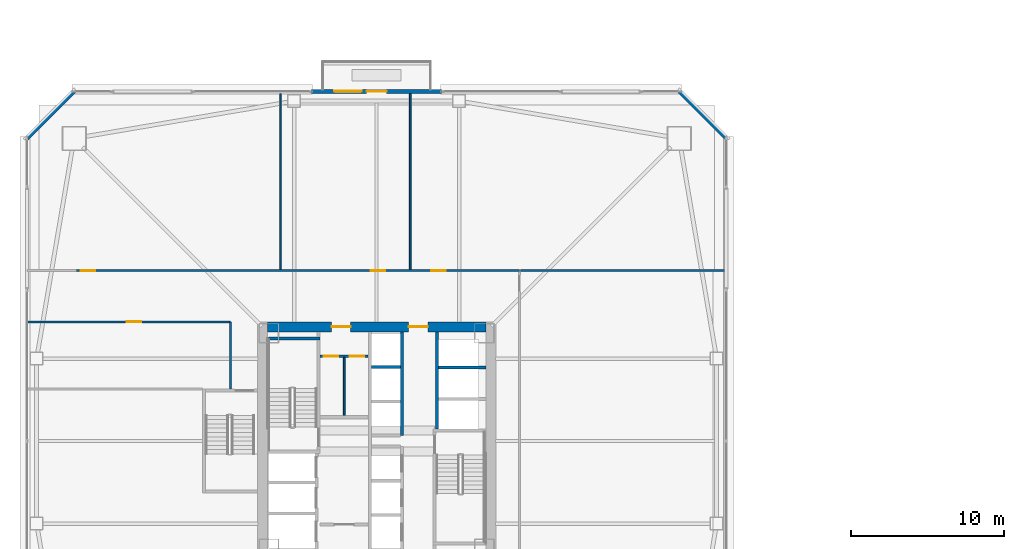
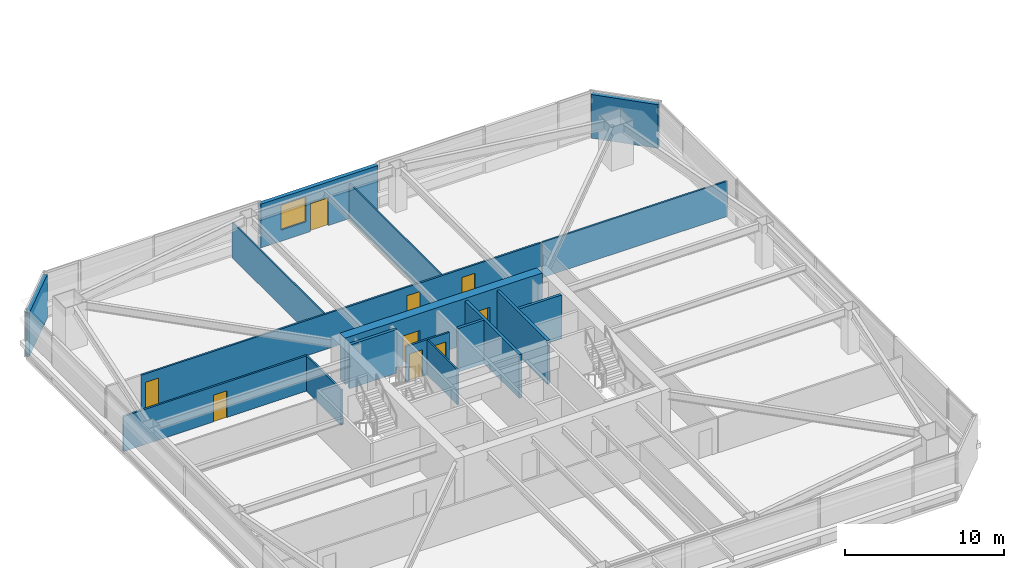
# One storey, part 38 of 48: 17 walls, 9 doors, 1 window, 10 openings.
"""IFC4 building model written with IfcOpenShell, lengths in metres."""

from ifc_helpers import new_model, si_unit, direction, frame, frame_2d, origin, place, context, subcontext, project, spatial, rectangle, extrude, material, layer, layer_set, type_object, element, fill, save


model = new_model("IFC4")

# Units and contexts
model_context = context("Model", 3, precision=1e-05, world=origin(), true_north=direction((0.0, 1.0)))
body_context = subcontext(model_context, "Body", "Model", "MODEL_VIEW")
ifc_project = project(units=[si_unit("LENGTHUNIT", "METRE"), si_unit("AREAUNIT", "SQUARE_METRE"), si_unit("VOLUMEUNIT", "CUBIC_METRE"), si_unit("PLANEANGLEUNIT", "RADIAN"), si_unit("MASSUNIT", "GRAM", prefix="KILO")], contexts=[model_context])

# Site, building, storey
site_placement = place(None, origin())
site = spatial("IfcSite", under=ifc_project, at=site_placement, CompositionType="ELEMENT")
building_placement = place(site_placement, origin())
building = spatial("IfcBuilding", under=site, at=building_placement, Name="Tashvorn Skyway Center", CompositionType="ELEMENT")
storey_placement = place(building_placement, frame((0.0, 0.0, 53.0)))
storey = spatial("IfcBuildingStorey", under=building, at=storey_placement, Name="L13", CompositionType="ELEMENT", Elevation=53.0)

# Wall, openings, doors
ifc_material_1 = material(Name="Concrete C60/75", Category="concrete")
ifc_layer_1 = layer(ifc_material_1, 0.64990234375)
ifc_layer_set_1 = layer_set([ifc_layer_1], Name="Concrete C60/75")
wall_type_1 = type_object("IfcWallType", Name="WALL-CORE-650", PredefinedType="SHEAR", material=ifc_layer_set_1)
wall_1_placement = place(storey_placement, frame((34.85009765625, 39.47509765625, 0.0), z_axis=(0.0, 0.0, 1.0), x_axis=(1.0, 0.0, 0.0)))
wall_1 = element("IfcWall", 1, at=wall_1_placement, inside=storey, type_object=wall_type_1, Name="Tower 1 L13 North Core Shear Wall", PredefinedType="SHEAR", context=body_context, shape_type="SweptSolid", body=[
    extrude(rectangle(XDim=14.2998046875, YDim=0.64990234375, at=frame_2d((7.14990234375, 0.0))), origin(), (0.0, 0.0, 1.0), 3.550048828125),
])
opening_1_placement = place(wall_1_placement, frame((4.199951171875, 0.0, 0.0)))
opening_1 = element("IfcOpeningElement", 2, at=opening_1_placement, cuts=wall_1, Name="Opening D-FFL-1250", PredefinedType="OPENING", context=body_context, shape_type="SweptSolid", body=[
    extrude(rectangle(XDim=1.25, YDim=2.25, at=frame_2d((0.625, 1.125))), frame((0.0, 0.3349609375, 0.0), z_axis=(0.0, -1.0, 0.0), x_axis=(1.0, 0.0, 0.0)), (0.0, 0.0, 1.0), 0.669921875),
])
opening_2_placement = place(wall_1_placement, frame((9.25, 0.0, 0.0)))
opening_2 = element("IfcOpeningElement", 3, at=opening_2_placement, cuts=wall_1, Name="Opening D-FFL-1250", PredefinedType="OPENING", context=body_context, shape_type="SweptSolid", body=[
    extrude(rectangle(XDim=1.25, YDim=2.25, at=frame_2d((0.625, 1.125))), frame((0.0, 0.3349609375, 0.0), z_axis=(0.0, -1.0, 0.0), x_axis=(1.0, 0.0, 0.0)), (0.0, 0.0, 1.0), 0.669921875),
])
ifc_material_2 = material(Name="Hollow galvanized steel fire door assembly", Category="steel")
door_type_1 = type_object("IfcDoorType", Name="DOOR-FFL-1250", OperationType="NOTDEFINED", PredefinedType="DOOR", material=ifc_material_2)
door_1_placement = place(opening_1_placement, origin())
door_1 = element("IfcDoor", 4, at=door_1_placement, inside=storey, type_object=door_type_1, Name="Tower 1 L13 Core North Service Lobby Door", OperationType="SINGLE_SWING_LEFT", OverallHeight=2.25, OverallWidth=1.25, PredefinedType="DOOR", context=body_context, shape_type="SweptSolid", body=[
    extrude(rectangle(XDim=1.25, YDim=2.25, at=frame_2d((0.625, 1.125))), frame((0.0, 0.02490234375, 0.0), z_axis=(0.0, -1.0, 0.0), x_axis=(1.0, 0.0, 0.0)), (0.0, 0.0, 1.0), 0.050048828125),
])
fill(opening_1, door_1)
door_2_placement = place(opening_2_placement, origin())
door_2 = element("IfcDoor", 5, at=door_2_placement, inside=storey, type_object=door_type_1, Name="Tower 1 L13 Core North Lift Lobby Door", OperationType="SINGLE_SWING_RIGHT", OverallHeight=2.25, OverallWidth=1.25, PredefinedType="DOOR", context=body_context, shape_type="SweptSolid", body=[
    extrude(rectangle(XDim=1.25, YDim=2.25, at=frame_2d((0.625, 1.125))), frame((0.0, 0.02490234375, 0.0), z_axis=(0.0, -1.0, 0.0), x_axis=(1.0, 0.0, 0.0)), (0.0, 0.0, 1.0), 0.050048828125),
])
fill(opening_2, door_2)

# Wall, openings, door, window
ifc_material_3 = material(Name="Precast concrete C40/50", Category="concrete")
ifc_layer_2 = layer(ifc_material_3, 0.280029296875)
ifc_layer_set_2 = layer_set([ifc_layer_2], Name="Precast concrete C40/50")
wall_type_2 = type_object("IfcWallType", Name="WALL-EXT-280", PredefinedType="SOLIDWALL", material=ifc_layer_set_2)
wall_2_placement = place(storey_placement, frame((37.75, 54.8798828125, 0.0), z_axis=(0.0, 0.0, 1.0), x_axis=(1.0, 0.0, 0.0)))
wall_2 = element("IfcWall", 6, at=wall_2_placement, inside=storey, type_object=wall_type_2, Name="Tower 1 L13 North Terrace Portal Wall", PredefinedType="SOLIDWALL", context=body_context, shape_type="SweptSolid", body=[
    extrude(rectangle(XDim=8.5, YDim=0.280029296875, at=frame_2d((4.25, 0.0))), origin(), (0.0, 0.0, 1.0), 3.35009765625),
])
opening_3_placement = place(wall_2_placement, frame((3.60009765625, 0.0, 0.0)))
opening_3 = element("IfcOpeningElement", 7, at=opening_3_placement, cuts=wall_2, Name="Opening D-TER-1300", PredefinedType="OPENING", context=body_context, shape_type="SweptSolid", body=[
    extrude(rectangle(XDim=1.300048828125, YDim=2.14990234375, at=frame_2d((0.64990234375, 1.074951171875))), frame((0.0, 0.14990234375, 0.0), z_axis=(0.0, -1.0, 0.0), x_axis=(1.0, 0.0, 0.0)), (0.0, 0.0, 1.0), 0.300048828125),
])
opening_4_placement = place(wall_2_placement, frame((1.4599609375, 0.0, 0.85009765625)))
opening_4 = element("IfcOpeningElement", 8, at=opening_4_placement, cuts=wall_2, Name="Opening WIN-1800", PredefinedType="OPENING", context=body_context, shape_type="SweptSolid", body=[
    extrude(rectangle(XDim=1.800048828125, YDim=1.919921875, at=frame_2d((0.89990234375, 0.9599609375))), frame((0.0, 0.14990234375, 0.0), z_axis=(0.0, -1.0, 0.0), x_axis=(1.0, 0.0, 0.0)), (0.0, 0.0, 1.0), 0.300048828125),
])
ifc_material_4 = material(Name="Thermally broken bronze-anodized aluminium 6063-T6", Category="aluminium")
door_type_2 = type_object("IfcDoorType", Name="DOOR-TERR-1300", OperationType="NOTDEFINED", PredefinedType="DOOR", material=ifc_material_4)
door_3_placement = place(opening_3_placement, origin())
door_3 = element("IfcDoor", 9, at=door_3_placement, inside=storey, type_object=door_type_2, Name="Tower 1 L13 Terrace Access Door", OperationType="SINGLE_SWING_LEFT", OverallHeight=2.14990234375, OverallWidth=1.300048828125, PredefinedType="DOOR", context=body_context, shape_type="SweptSolid", body=[
    extrude(rectangle(XDim=1.300048828125, YDim=2.14990234375, at=frame_2d((0.64990234375, 1.074951171875))), frame((0.0, 0.02490234375, 0.0), z_axis=(0.0, -1.0, 0.0), x_axis=(1.0, 0.0, 0.0)), (0.0, 0.0, 1.0), 0.050048828125),
])
fill(opening_3, door_3)
ifc_material_5 = material(Name="Low-E solar-control double insulating safety glass", Category="glass")
window_type = type_object("IfcWindowType", Name="WIN-TERR-1800", PartitioningType="SINGLE_PANEL", PredefinedType="WINDOW", material=ifc_material_5)
window_placement = place(opening_4_placement, origin())
window = element("IfcWindow", 10, at=window_placement, inside=storey, type_object=window_type, Name="Tower 1 L13 Terrace Window", OverallHeight=1.919921875, OverallWidth=1.800048828125, PartitioningType="SINGLE_PANEL", PredefinedType="WINDOW", context=body_context, shape_type="SweptSolid", body=[
    extrude(rectangle(XDim=1.800048828125, YDim=1.919921875, at=frame_2d((0.89990234375, 0.9599609375))), frame((0.0, 0.030029296875, 0.0), z_axis=(0.0, -1.0, 0.0), x_axis=(1.0, 0.0, 0.0)), (0.0, 0.0, 1.0), 0.06005859375),
])
fill(opening_4, window)

# Walls
for number, where, z_axis, x_axis, name in (
    (11, (19.10009765625, 51.800048828125, 0.0), (0.0, 0.0, 1.0), (0.707106781187, 0.707106781187, 0.0), "Tower 1 L13 NW Precast Chamfer Wall"),
    (12, (61.800048828125, 54.89990234375, 0.0), (0.0, 0.0, 1.0), (0.707106781187, -0.707106781187, 0.0), "Tower 1 L13 NE Precast Chamfer Wall"),
):
    element("IfcWall", number, at=place(storey_placement, frame(where, z_axis=z_axis, x_axis=x_axis)), inside=storey, type_object=wall_type_2, Name=name, PredefinedType="SOLIDWALL", context=body_context, shape_type="SweptSolid", body=[
        extrude(rectangle(XDim=4.3837890625, YDim=0.280029296875, at=frame_2d((2.19189453125, 0.0))), origin(), (0.0, 0.0, 1.0), 3.35009765625),
    ])
ifc_material_6 = material(Name="Gypsum board on cold-formed steel stud framing", Category="steel")
ifc_layer_3 = layer(ifc_material_6, 0.110107421875)
ifc_layer_set_3 = layer_set([ifc_layer_3], Name="Gypsum board on cold-formed steel stud framing")
wall_type_3 = type_object("IfcWallType", Name="WALL-PART-110", PredefinedType="PARTITIONING", material=ifc_layer_set_3)
for number, where, z_axis, x_axis, name in (
    (13, (35.699951171875, 43.22998046875, 0.0), (0.0, 0.0, 1.0), (0.0, 1.0, 0.0), "Tower 1 L13 North Suite Partition 1"),
    (14, (44.199951171875, 43.22998046875, 0.0), (0.0, 0.0, 1.0), (0.0, 1.0, 0.0), "Tower 1 L13 North Suite Partition 2"),
):
    element("IfcWall", number, at=place(storey_placement, frame(where, z_axis=z_axis, x_axis=x_axis)), inside=storey, type_object=wall_type_3, Name=name, PredefinedType="PARTITIONING", context=body_context, shape_type="SweptSolid", body=[
        extrude(rectangle(XDim=11.5, YDim=0.110107421875, at=frame_2d((5.75, 0.0))), origin(), (0.0, 0.0, 1.0), 2.702880859375),
    ])
ifc_layer_4 = layer(ifc_material_6, 0.135009765625)
ifc_layer_set_4 = layer_set([ifc_layer_4], Name="Gypsum board on cold-formed steel stud framing")
wall_type_4 = type_object("IfcWallType", Name="WALL-PART-135", PredefinedType="PARTITIONING", material=ifc_layer_set_4)
wall_3_placement = place(storey_placement, frame((32.449951171875, 35.39990234375, 0.0), z_axis=(0.0, 0.0, 1.0), x_axis=(0.0, 1.0, 0.0)))
element("IfcWall", 15, at=wall_3_placement, inside=storey, type_object=wall_type_4, Name="Tower 1 L13 Stair 3 Access Corridor Wall", PredefinedType="PARTITIONING", context=body_context, shape_type="SweptSolid", body=[
    extrude(rectangle(XDim=4.400146484375, YDim=0.135009765625, at=frame_2d((2.2001953125, 0.0))), origin(), (0.0, 0.0, 1.0), 2.702880859375),
])

# Wall, openings, doors
wall_4_placement = place(storey_placement, frame((22.35009765625, 43.14990234375, 0.0), z_axis=(0.0, 0.0, 1.0), x_axis=(1.0, 0.0, 0.0)))
wall_4 = element("IfcWall", 16, at=wall_4_placement, inside=storey, type_object=wall_type_4, Name="Tower 1 L13 North Suite Wall", PredefinedType="PARTITIONING", context=body_context, shape_type="SweptSolid", body=[
    extrude(rectangle(XDim=29.0, YDim=0.135009765625, at=frame_2d((14.5, 0.0))), origin(), (0.0, 0.0, 1.0), 2.702880859375),
])
opening_5_placement = place(wall_4_placement, frame((0.300048828125, 0.0, 0.0)))
opening_5 = element("IfcOpeningElement", 17, at=opening_5_placement, cuts=wall_4, Name="Opening D-INT-950", PredefinedType="OPENING", context=body_context, shape_type="SweptSolid", body=[
    extrude(rectangle(XDim=0.949951171875, YDim=2.050048828125, at=frame_2d((0.47509765625, 1.02490234375))), frame((0.0, 0.077392578125, 0.0), z_axis=(0.0, -1.0, 0.0), x_axis=(1.0, 0.0, 0.0)), (0.0, 0.0, 1.0), 0.155029296875),
])
opening_6_placement = place(wall_4_placement, frame((19.2626953125, 0.0, 0.0)))
opening_6 = element("IfcOpeningElement", 18, at=opening_6_placement, cuts=wall_4, Name="Opening D-INT-950", PredefinedType="OPENING", context=body_context, shape_type="SweptSolid", body=[
    extrude(rectangle(XDim=0.949951171875, YDim=2.050048828125, at=frame_2d((0.47509765625, 1.02490234375))), frame((0.0, 0.077392578125, 0.0), z_axis=(0.0, -1.0, 0.0), x_axis=(1.0, 0.0, 0.0)), (0.0, 0.0, 1.0), 0.155029296875),
])
opening_7_placement = place(wall_4_placement, frame((23.233642578125, 0.0, 0.0)))
opening_7 = element("IfcOpeningElement", 19, at=opening_7_placement, cuts=wall_4, Name="Opening D-INT-950", PredefinedType="OPENING", context=body_context, shape_type="SweptSolid", body=[
    extrude(rectangle(XDim=0.949951171875, YDim=2.050048828125, at=frame_2d((0.47509765625, 1.02490234375))), frame((0.0, 0.077392578125, 0.0), z_axis=(0.0, -1.0, 0.0), x_axis=(1.0, 0.0, 0.0)), (0.0, 0.0, 1.0), 0.155029296875),
])
ifc_material_7 = material(Name="Solid-core architectural oak veneer door")
door_type_3 = type_object("IfcDoorType", Name="DOOR-INT-950", OperationType="NOTDEFINED", PredefinedType="DOOR", material=ifc_material_7)
door_4_placement = place(opening_5_placement, origin())
door_4 = element("IfcDoor", 20, at=door_4_placement, inside=storey, type_object=door_type_3, Name="Tower 1 L13 Executive Study Lounge Door", OperationType="SINGLE_SWING_RIGHT", OverallHeight=2.050048828125, OverallWidth=0.949951171875, PredefinedType="DOOR", context=body_context, shape_type="SweptSolid", body=[
    extrude(rectangle(XDim=0.949951171875, YDim=2.050048828125, at=frame_2d((0.47509765625, 1.02490234375))), frame((0.0, 0.02490234375, 0.0), z_axis=(0.0, -1.0, 0.0), x_axis=(1.0, 0.0, 0.0)), (0.0, 0.0, 1.0), 0.050048828125),
])
fill(opening_5, door_4)
door_5_placement = place(opening_6_placement, origin())
door_5 = element("IfcDoor", 21, at=door_5_placement, inside=storey, type_object=door_type_3, Name="Tower 1 L13 Executive Study Lounge Door", OperationType="SINGLE_SWING_LEFT", OverallHeight=2.050048828125, OverallWidth=0.949951171875, PredefinedType="DOOR", context=body_context, shape_type="SweptSolid", body=[
    extrude(rectangle(XDim=0.949951171875, YDim=2.050048828125, at=frame_2d((0.47509765625, 1.02490234375))), frame((0.0, 0.02490234375, 0.0), z_axis=(0.0, -1.0, 0.0), x_axis=(1.0, 0.0, 0.0)), (0.0, 0.0, 1.0), 0.050048828125),
])
fill(opening_6, door_5)
door_6_placement = place(opening_7_placement, origin())
door_6 = element("IfcDoor", 22, at=door_6_placement, inside=storey, type_object=door_type_3, Name="Tower 1 L13 Staff Fitness Club Door", OperationType="SINGLE_SWING_RIGHT", OverallHeight=2.050048828125, OverallWidth=0.949951171875, PredefinedType="DOOR", context=body_context, shape_type="SweptSolid", body=[
    extrude(rectangle(XDim=0.949951171875, YDim=2.050048828125, at=frame_2d((0.47509765625, 1.02490234375))), frame((0.0, 0.02490234375, 0.0), z_axis=(0.0, -1.0, 0.0), x_axis=(1.0, 0.0, 0.0)), (0.0, 0.0, 1.0), 0.050048828125),
])
fill(opening_7, door_6)

# Wall
wall_5_placement = place(storey_placement, frame((64.8798828125, 43.14990234375, 0.0), z_axis=(0.0, 0.0, 1.0), x_axis=(-1.0, 0.0, 0.0)))
element("IfcWall", 23, at=wall_5_placement, inside=storey, type_object=wall_type_4, Name="Tower 1 L13 East Suite North Wall", PredefinedType="PARTITIONING", context=body_context, shape_type="SweptSolid", body=[
    extrude(rectangle(XDim=13.449951171875, YDim=0.135009765625, at=frame_2d((6.72509765625, 0.0))), origin(), (0.0, 0.0, 1.0), 2.702880859375),
])

# Wall, opening, door
wall_6_placement = place(storey_placement, frame((32.449951171875, 39.800048828125, 0.0), z_axis=(0.0, 0.0, 1.0), x_axis=(-1.0, 0.0, 0.0)))
wall_6 = element("IfcWall", 24, at=wall_6_placement, inside=storey, type_object=wall_type_4, Name="Tower 1 L13 West Suite North Wall", PredefinedType="PARTITIONING", context=body_context, shape_type="SweptSolid", body=[
    extrude(rectangle(XDim=13.329833984375, YDim=0.135009765625, at=frame_2d((6.6650390625, 0.0))), origin(), (0.0, 0.0, 1.0), 2.702880859375),
])
opening_8_placement = place(wall_6_placement, frame((5.840087890625, 0.0, 0.0)))
opening_8 = element("IfcOpeningElement", 25, at=opening_8_placement, cuts=wall_6, Name="Opening D-INT-950", PredefinedType="OPENING", context=body_context, shape_type="SweptSolid", body=[
    extrude(rectangle(XDim=0.949951171875, YDim=2.050048828125, at=frame_2d((0.47509765625, 1.02490234375))), frame((0.0, 0.077392578125, 0.0), z_axis=(0.0, -1.0, 0.0), x_axis=(1.0, 0.0, 0.0)), (0.0, 0.0, 1.0), 0.155029296875),
])
door_7_placement = place(opening_8_placement, origin())
door_7 = element("IfcDoor", 26, at=door_7_placement, inside=storey, type_object=door_type_3, Name="Tower 1 L13 Reading Lounge Door", OperationType="SINGLE_SWING_RIGHT", OverallHeight=2.050048828125, OverallWidth=0.949951171875, PredefinedType="DOOR", context=body_context, shape_type="SweptSolid", body=[
    extrude(rectangle(XDim=0.949951171875, YDim=2.050048828125, at=frame_2d((0.47509765625, 1.02490234375))), frame((0.0, 0.02490234375, 0.0), z_axis=(0.0, -1.0, 0.0), x_axis=(1.0, 0.0, 0.0)), (0.0, 0.0, 1.0), 0.050048828125),
])
fill(opening_8, door_7)

# Wall
ifc_layer_5 = layer(ifc_material_6, 0.110107421875)
ifc_layer_set_5 = layer_set([ifc_layer_5], Name="Gypsum board on cold-formed steel stud framing")
wall_type_5 = type_object("IfcWallType", Name="WALL-RATED-110", PredefinedType="PARTITIONING", material=ifc_layer_set_5)
wall_7_placement = place(storey_placement, frame((39.8798828125, 33.679931640625, 0.0), z_axis=(0.0, 0.0, 1.0), x_axis=(0.0, 1.0, 0.0)))
element("IfcWall", 27, at=wall_7_placement, inside=storey, type_object=wall_type_5, Name="Tower 1 L13 Core Split Partition", PredefinedType="PARTITIONING", context=body_context, shape_type="SweptSolid", body=[
    extrude(rectangle(XDim=3.800048828125, YDim=0.110107421875, at=frame_2d((1.89990234375, 0.0))), origin(), (0.0, 0.0, 1.0), 2.702880859375),
])

# Wall, openings, doors
ifc_layer_6 = layer(ifc_material_6, 0.135009765625)
ifc_layer_set_6 = layer_set([ifc_layer_6], Name="Gypsum board on cold-formed steel stud framing")
wall_type_6 = type_object("IfcWallType", Name="WALL-RATED-135", PredefinedType="PARTITIONING", material=ifc_layer_set_6)
wall_8_placement = place(storey_placement, frame((38.300048828125, 37.550048828125, 0.0), z_axis=(0.0, 0.0, 1.0), x_axis=(1.0, 0.0, 0.0)))
wall_8 = element("IfcWall", 28, at=wall_8_placement, inside=storey, type_object=wall_type_6, Name="Tower 1 L13 Core Service Lobby Wall", PredefinedType="PARTITIONING", context=body_context, shape_type="SweptSolid", body=[
    extrude(rectangle(XDim=3.14990234375, YDim=0.135009765625, at=frame_2d((1.574951171875, 0.0))), origin(), (0.0, 0.0, 1.0), 2.702880859375),
])
opening_9_placement = place(wall_8_placement, frame((0.25, 0.0, 0.0)))
opening_9 = element("IfcOpeningElement", 29, at=opening_9_placement, cuts=wall_8, Name="Opening D-RT-950", PredefinedType="OPENING", context=body_context, shape_type="SweptSolid", body=[
    extrude(rectangle(XDim=0.949951171875, YDim=2.050048828125, at=frame_2d((0.47509765625, 1.02490234375))), frame((0.0, 0.077392578125, 0.0), z_axis=(0.0, -1.0, 0.0), x_axis=(1.0, 0.0, 0.0)), (0.0, 0.0, 1.0), 0.155029296875),
])
opening_10_placement = place(wall_8_placement, frame((1.949951171875, 0.0, 0.0)))
opening_10 = element("IfcOpeningElement", 30, at=opening_10_placement, cuts=wall_8, Name="Opening D-RT-950", PredefinedType="OPENING", context=body_context, shape_type="SweptSolid", body=[
    extrude(rectangle(XDim=0.949951171875, YDim=2.050048828125, at=frame_2d((0.47509765625, 1.02490234375))), frame((0.0, 0.077392578125, 0.0), z_axis=(0.0, -1.0, 0.0), x_axis=(1.0, 0.0, 0.0)), (0.0, 0.0, 1.0), 0.155029296875),
])
door_type_4 = type_object("IfcDoorType", Name="DOOR-RATED-950", OperationType="NOTDEFINED", PredefinedType="DOOR", material=ifc_material_2)
door_8_placement = place(opening_9_placement, origin())
door_8 = element("IfcDoor", 31, at=door_8_placement, inside=storey, type_object=door_type_4, Name="Tower 1 L13 Core Accessible WC Door", OperationType="SINGLE_SWING_LEFT", OverallHeight=2.050048828125, OverallWidth=0.949951171875, PredefinedType="DOOR", context=body_context, shape_type="SweptSolid", body=[
    extrude(rectangle(XDim=0.949951171875, YDim=2.050048828125, at=frame_2d((0.47509765625, 1.02490234375))), frame((0.0, 0.02490234375, 0.0), z_axis=(0.0, -1.0, 0.0), x_axis=(1.0, 0.0, 0.0)), (0.0, 0.0, 1.0), 0.050048828125),
])
fill(opening_9, door_8)
door_9_placement = place(opening_10_placement, origin())
door_9 = element("IfcDoor", 32, at=door_9_placement, inside=storey, type_object=door_type_4, Name="Tower 1 L13 Core Cleaner Store Door", OperationType="SINGLE_SWING_RIGHT", OverallHeight=2.050048828125, OverallWidth=0.949951171875, PredefinedType="DOOR", context=body_context, shape_type="SweptSolid", body=[
    extrude(rectangle(XDim=0.949951171875, YDim=2.050048828125, at=frame_2d((0.47509765625, 1.02490234375))), frame((0.0, 0.02490234375, 0.0), z_axis=(0.0, -1.0, 0.0), x_axis=(1.0, 0.0, 0.0)), (0.0, 0.0, 1.0), 0.050048828125),
])
fill(opening_10, door_9)

# Walls
ifc_material_8 = material(Name="Concrete C40/50", Category="concrete")
ifc_layer_7 = layer(ifc_material_8, 0.199951171875)
ifc_layer_set_7 = layer_set([ifc_layer_7], Name="Concrete C40/50")
wall_type_7 = type_object("IfcWallType", Name="WALL-SHAFT-200", PredefinedType="SOLIDWALL", material=ifc_layer_set_7)
wall_9_placement = place(storey_placement, frame((46.050048828125, 36.800048828125, 0.0), z_axis=(0.0, 0.0, 1.0), x_axis=(1.0, 0.0, 0.0)))
element("IfcWall", 33, at=wall_9_placement, inside=storey, type_object=wall_type_7, Name="Tower 1 L13 High-Rise Shaft Divider", PredefinedType="SOLIDWALL", context=body_context, shape_type="SweptSolid", body=[
    extrude(rectangle(XDim=3.099853515625, YDim=0.199951171875, at=frame_2d((1.5498046875, 0.0))), origin(), (0.0, 0.0, 1.0), 3.35009765625),
])
wall_10_placement = place(storey_placement, frame((43.64990234375, 32.35009765625, 0.0), z_axis=(0.0, 0.0, 1.0), x_axis=(0.0, 1.0, 0.0)))
element("IfcWall", 34, at=wall_10_placement, inside=storey, type_object=wall_type_7, Name="Tower 1 L13 Mid-Rise Core Wall", PredefinedType="SOLIDWALL", context=body_context, shape_type="SweptSolid", body=[
    extrude(rectangle(XDim=6.7998046875, YDim=0.199951171875, at=frame_2d((3.39990234375, 0.0))), origin(), (0.0, 0.0, 1.0), 3.35009765625),
])
wall_11_placement = place(storey_placement, frame((41.669921875, 36.85009765625, 0.0), z_axis=(0.0, 0.0, 1.0), x_axis=(1.0, 0.0, 0.0)))
element("IfcWall", 35, at=wall_11_placement, inside=storey, type_object=wall_type_7, Name="Tower 1 L13 Mid-Rise Shaft Divider", PredefinedType="SOLIDWALL", context=body_context, shape_type="SweptSolid", body=[
    extrude(rectangle(XDim=1.880126953125, YDim=0.199951171875, at=frame_2d((0.93994140625, 0.0))), origin(), (0.0, 0.0, 1.0), 3.35009765625),
])
ifc_layer_8 = layer(ifc_material_8, 0.199951171875)
ifc_layer_set_8 = layer_set([ifc_layer_8], Name="Concrete C40/50")
wall_type_8 = type_object("IfcWallType", Name="WALL-STSHF-200", PredefinedType="SHEAR", material=ifc_layer_set_8)
wall_12_placement = place(storey_placement, frame((34.85009765625, 38.699951171875, 0.0), z_axis=(0.0, 0.0, 1.0), x_axis=(1.0, 0.0, 0.0)))
element("IfcWall", 36, at=wall_12_placement, inside=storey, type_object=wall_type_8, Name="Tower 1 L13 Stair 1 North Wall", PredefinedType="SHEAR", context=body_context, shape_type="SweptSolid", body=[
    extrude(rectangle(XDim=3.449951171875, YDim=0.199951171875, at=frame_2d((1.72509765625, 0.0))), origin(), (0.0, 0.0, 1.0), 3.35009765625),
])
wall_13_placement = place(storey_placement, frame((45.949951171875, 39.14990234375, 0.0), z_axis=(0.0, 0.0, 1.0), x_axis=(0.0, -1.0, 0.0)))
element("IfcWall", 37, at=wall_13_placement, inside=storey, type_object=wall_type_8, Name="Tower 1 L13 High-Rise Lift Shaft Front Wall", PredefinedType="SHEAR", context=body_context, shape_type="SweptSolid", body=[
    extrude(rectangle(XDim=6.349853515625, YDim=0.199951171875, at=frame_2d((3.1748046875, 0.0))), origin(), (0.0, 0.0, 1.0), 3.35009765625),
])

save(model, "model.ifc")
